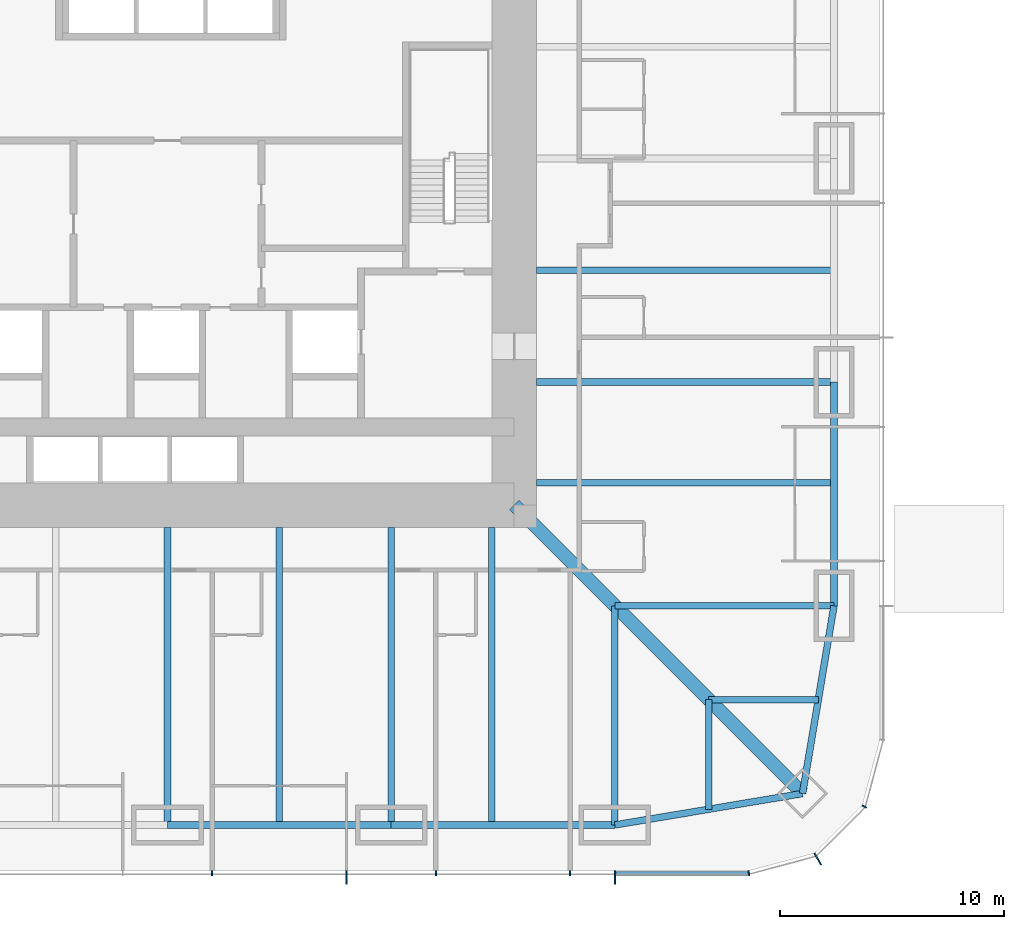
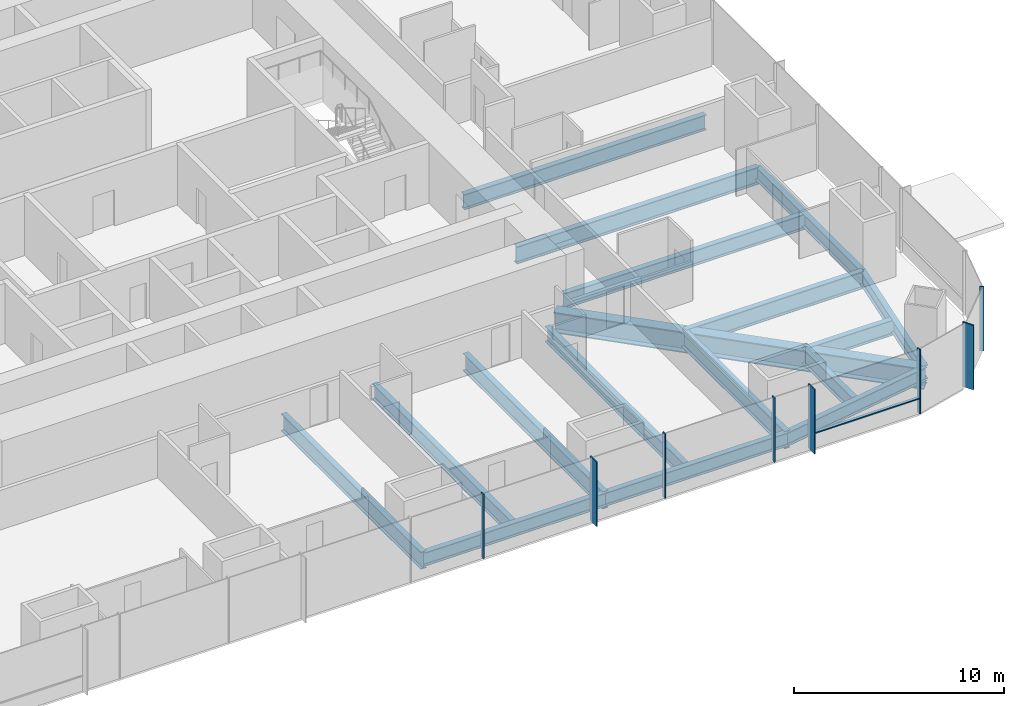
# One storey, part 4 of 20: 17 beams, 9 members, 2 elements without a shape of their own.
"""IFC4 building model written with IfcOpenShell, lengths in metres."""

from ifc_helpers import new_model, si_unit, direction, frame, origin, origin_2d, place, context, subcontext, project, spatial, rectangle, i_section, extrude, material, material_profile, profile_set, type_object, element, aggregate, save


model = new_model("IFC4")

# Units and contexts
model_context = context("Model", 3, precision=1e-05, world=origin(), true_north=direction((0.0, 1.0)))
body_context = subcontext(model_context, "Body", "Model", "MODEL_VIEW")
ifc_project = project(units=[si_unit("LENGTHUNIT", "METRE"), si_unit("AREAUNIT", "SQUARE_METRE"), si_unit("VOLUMEUNIT", "CUBIC_METRE"), si_unit("PLANEANGLEUNIT", "RADIAN"), si_unit("MASSUNIT", "GRAM", prefix="KILO")], contexts=[model_context])

# Site, building, storey
site_placement = place(None, origin())
site = spatial("IfcSite", under=ifc_project, at=site_placement, CompositionType="ELEMENT")
building_placement = place(site_placement, origin())
building = spatial("IfcBuilding", under=site, at=building_placement, Name="Khuree Lantern Residences", CompositionType="ELEMENT")
storey_placement = place(building_placement, frame((0.0, 0.0, 24.75)))
storey = spatial("IfcBuildingStorey", under=building, at=storey_placement, Name="L05", CompositionType="ELEMENT", Elevation=24.75)

# Beams
ifc_material_1 = material(Name="Steel S355", Category="steel")
ifc_material_profile_1 = material_profile(ifc_material_1, i_section(OverallWidth=0.300048828125, OverallDepth=0.889892578125, WebThickness=0.01611328125, FlangeThickness=0.030029296875, FilletRadius=0.030029296875, at=origin_2d()), Name="HE 900 A")
ifc_profile_set_1 = profile_set([ifc_material_profile_1], Name="Steel S355")
beam_type_1 = type_object("IfcBeamType", Name="B-11 SECONDARY BEAM HE 900 A", PredefinedType="BEAM", material=ifc_profile_set_1)
for number, where, z_axis, x_axis, name in (
    (1, (29.800048828125, -5.0, -0.695068359375), (-1.0, 0.0, 0.0), (0.0, -1.0, 0.0), "Secondary beam E4"),
    (2, (29.800048828125, -14.5, -0.695068359375), (-1.0, 0.0, 0.0), (0.0, -1.0, 0.0), "Secondary beam E5"),
):
    element("IfcBeam", number, at=place(storey_placement, frame(where, z_axis=z_axis, x_axis=x_axis)), inside=storey, type_object=beam_type_1, Name=name, PredefinedType="BEAM", context=body_context, shape_type="SweptSolid", body=[
        extrude(i_section(OverallWidth=0.300048828125, OverallDepth=0.889892578125, WebThickness=0.01611328125, FlangeThickness=0.030029296875, FilletRadius=0.030029296875, at=origin_2d()), origin(), (0.0, 0.0, 1.0), 13.300048828125),
    ])
for number, where, z_axis, x_axis, name in (
    (3, (29.09716796875, -24.197021484375, -0.695068359375), (-1.0, 0.0, 0.0), (0.0, -1.0, 0.0), "Secondary beam E6"),
    (4, (24.197021484375, -29.09716796875, -0.695068359375), (0.0, 1.0, 0.0), (-1.0, 0.0, 0.0), "Secondary beam S1"),
):
    element("IfcBeam", number, at=place(storey_placement, frame(where, z_axis=z_axis, x_axis=x_axis)), inside=storey, type_object=beam_type_1, Name=name, PredefinedType="BEAM", context=body_context, shape_type="SweptSolid", body=[
        extrude(i_section(OverallWidth=0.300048828125, OverallDepth=0.889892578125, WebThickness=0.01611328125, FlangeThickness=0.030029296875, FilletRadius=0.030029296875, at=origin_2d()), origin(), (0.0, 0.0, 1.0), 4.900146484375),
    ])
for number, where, z_axis, x_axis, name in (
    (5, (14.5, -29.800048828125, -0.695068359375), (0.0, 1.0, 0.0), (-1.0, 0.0, 0.0), "Secondary beam S2"),
    (6, (5.0, -29.800048828125, -0.695068359375), (0.0, 1.0, 0.0), (-1.0, 0.0, 0.0), "Secondary beam S3"),
):
    element("IfcBeam", number, at=place(storey_placement, frame(where, z_axis=z_axis, x_axis=x_axis)), inside=storey, type_object=beam_type_1, Name=name, PredefinedType="BEAM", context=body_context, shape_type="SweptSolid", body=[
        extrude(i_section(OverallWidth=0.300048828125, OverallDepth=0.889892578125, WebThickness=0.01611328125, FlangeThickness=0.030029296875, FilletRadius=0.030029296875, at=origin_2d()), origin(), (0.0, 0.0, 1.0), 13.300048828125),
    ])
ifc_material_profile_2 = material_profile(ifc_material_1, i_section(OverallWidth=0.300048828125, OverallDepth=0.7900390625, WebThickness=0.014892578125, FlangeThickness=0.028076171875, FilletRadius=0.030029296875, at=origin_2d()), Name="HE 800 A")
ifc_profile_set_2 = profile_set([ifc_material_profile_2], Name="Steel S355")
beam_type_2 = type_object("IfcBeamType", Name="E-11 SPANDREL BEAM HE 800 A", PredefinedType="SPANDREL", material=ifc_profile_set_2)
beam_1_placement = place(storey_placement, frame((29.800048828125, -10.0, -0.64501953125), z_axis=(0.0, -1.0, 0.0), x_axis=(1.0, 0.0, 0.0)))
element("IfcBeam", 7, at=beam_1_placement, inside=storey, type_object=beam_type_2, Name="Spandrel beam E5", PredefinedType="SPANDREL", context=body_context, shape_type="SweptSolid", body=[
    extrude(i_section(OverallWidth=0.300048828125, OverallDepth=0.7900390625, WebThickness=0.014892578125, FlangeThickness=0.028076171875, FilletRadius=0.030029296875, at=origin_2d()), origin(), (0.0, 0.0, 1.0), 10.0),
])
for number, where, z_axis, x_axis, name in (
    (8, (29.800048828125, -20.0, -0.64501953125), (-0.165199022349, -0.986260251158, 0.0), (0.986260251158, -0.165199022349, 0.0), "Spandrel beam E6"),
    (9, (28.39404296875, -28.39404296875, -0.64501953125), (-0.986260251158, -0.165199022349, 0.0), (0.165199022349, -0.986260251158, 0.0), "Spandrel beam S1"),
):
    element("IfcBeam", number, at=place(storey_placement, frame(where, z_axis=z_axis, x_axis=x_axis)), inside=storey, type_object=beam_type_2, Name=name, PredefinedType="SPANDREL", context=body_context, shape_type="SweptSolid", body=[
        extrude(i_section(OverallWidth=0.300048828125, OverallDepth=0.7900390625, WebThickness=0.014892578125, FlangeThickness=0.028076171875, FilletRadius=0.030029296875, at=origin_2d()), origin(), (0.0, 0.0, 1.0), 8.510986328125),
    ])
for number, where, z_axis, x_axis, name in (
    (10, (20.0, -29.800048828125, -0.64501953125), (-1.0, 0.0, 0.0), (0.0, -1.0, 0.0), "Spandrel beam S2"),
    (11, (10.0, -29.800048828125, -0.64501953125), (-1.0, 0.0, 0.0), (0.0, -1.0, 0.0), "Spandrel beam S3"),
):
    element("IfcBeam", number, at=place(storey_placement, frame(where, z_axis=z_axis, x_axis=x_axis)), inside=storey, type_object=beam_type_2, Name=name, PredefinedType="SPANDREL", context=body_context, shape_type="SweptSolid", body=[
        extrude(i_section(OverallWidth=0.300048828125, OverallDepth=0.7900390625, WebThickness=0.014892578125, FlangeThickness=0.028076171875, FilletRadius=0.030029296875, at=origin_2d()), origin(), (0.0, 0.0, 1.0), 10.0),
    ])

# Curtain wall, member
ifc_material_2 = material(Name="Bronze anodised aluminium", Category="aluminium")
curtain_wall_type_1 = type_object("IfcCurtainWallType", Name="CW-T2 TOWER CORNER CURTAIN WALL", PredefinedType="USERDEFINED", material=ifc_material_2)
curtain_wall_1_placement = place(storey_placement, origin())
curtain_wall_1 = element("IfcCurtainWall", 12, at=curtain_wall_1_placement, inside=storey, type_object=curtain_wall_type_1, Name="L05 SOUTH-EAST CORNER CURTAIN WALL", ObjectType="Faceted corner curtain wall", PredefinedType="USERDEFINED")
ifc_material_profile_3 = material_profile(ifc_material_2, rectangle(XDim=0.06494140625, YDim=0.60009765625, at=origin_2d()), Name="F1 65X600")
ifc_profile_set_3 = profile_set([ifc_material_profile_3], Name="Bronze anodised aluminium")
member_type_1 = type_object("IfcMemberType", Name="F1 BRONZE FIN MULLION TOWER 65X600", PredefinedType="MULLION", material=ifc_profile_set_3)
member_1_placement = place(storey_placement, frame((29.074951171875, -31.326171875, 0.0), z_axis=(0.0, 0.0, 1.0), x_axis=(0.86602537092, 0.500000056923, 0.0)))
member_1 = element("IfcMember", 13, at=member_1_placement, type_object=member_type_1, Name="L05 SOUTH-EAST CORNER FIN MULLION 2", PredefinedType="MULLION", context=body_context, shape_type="SweptSolid", body=[
    extrude(rectangle(XDim=0.06494140625, YDim=0.60009765625, at=origin_2d()), origin(), (0.0, 0.0, 1.0), 3.75),
])

# Curtain wall, members
curtain_wall_type_2 = type_object("IfcCurtainWallType", Name="CW-T1 TOWER FACE CURTAIN WALL", PredefinedType="USERDEFINED", material=ifc_material_2)
curtain_wall_2_placement = place(storey_placement, origin())
curtain_wall_2 = element("IfcCurtainWall", 14, at=curtain_wall_2_placement, inside=storey, type_object=curtain_wall_type_2, Name="L05 SOUTH FACE CURTAIN WALL", ObjectType="Stick-built curtain wall", PredefinedType="USERDEFINED")
member_2_placement = place(storey_placement, frame((8.0, -32.14990234375, 0.0), z_axis=(0.0, 0.0, 1.0), x_axis=(1.0, 0.0, 0.0)))
member_2 = element("IfcMember", 15, at=member_2_placement, type_object=member_type_1, Name="L05 SOUTH FACE FIN MULLION 53", PredefinedType="MULLION", context=body_context, shape_type="SweptSolid", body=[
    extrude(rectangle(XDim=0.06494140625, YDim=0.60009765625, at=origin_2d()), origin(), (0.0, 0.0, 1.0), 3.75),
])
member_3_placement = place(storey_placement, frame((20.0, -32.14990234375, 0.0), z_axis=(0.0, 0.0, 1.0), x_axis=(1.0, 0.0, 0.0)))
member_3 = element("IfcMember", 16, at=member_3_placement, type_object=member_type_1, Name="L05 SOUTH FACE FIN MULLION 56", PredefinedType="MULLION", context=body_context, shape_type="SweptSolid", body=[
    extrude(rectangle(XDim=0.06494140625, YDim=0.60009765625, at=origin_2d()), origin(), (0.0, 0.0, 1.0), 3.75),
])

# Beams
ifc_material_profile_4 = material_profile(ifc_material_1, i_section(OverallWidth=0.302001953125, OverallDepth=1.008056640625, WebThickness=0.02099609375, FlangeThickness=0.0400390625, FilletRadius=0.030029296875, at=origin_2d()), Name="HE 1000 M")
ifc_profile_set_4 = profile_set([ifc_material_profile_4], Name="Steel S355")
beam_type_3 = type_object("IfcBeamType", Name="G-11 GIRDER HE 1000 M", PredefinedType="BEAM", material=ifc_profile_set_4)
beam_2_placement = place(storey_placement, frame((29.800048828125, -10.0, -0.75390625), z_axis=(-1.0, 0.0, 0.0), x_axis=(0.0, -1.0, 0.0)))
element("IfcBeam", 17, at=beam_2_placement, inside=storey, type_object=beam_type_3, Name="Girder E4", PredefinedType="BEAM", context=body_context, shape_type="SweptSolid", body=[
    extrude(i_section(OverallWidth=0.302001953125, OverallDepth=1.008056640625, WebThickness=0.02099609375, FlangeThickness=0.0400390625, FilletRadius=0.030029296875, at=origin_2d()), origin(), (0.0, 0.0, 1.0), 13.300048828125),
])
for number, where, z_axis, x_axis, name in (
    (18, (29.800048828125, -20.0, -0.75390625), (-1.0, 0.0, 0.0), (0.0, -1.0, 0.0), "Girder E5"),
    (19, (20.0, -29.800048828125, -0.75390625), (0.0, 1.0, 0.0), (-1.0, 0.0, 0.0), "Girder S1"),
):
    element("IfcBeam", number, at=place(storey_placement, frame(where, z_axis=z_axis, x_axis=x_axis)), inside=storey, type_object=beam_type_3, Name=name, PredefinedType="BEAM", context=body_context, shape_type="SweptSolid", body=[
        extrude(i_section(OverallWidth=0.302001953125, OverallDepth=1.008056640625, WebThickness=0.02099609375, FlangeThickness=0.0400390625, FilletRadius=0.030029296875, at=origin_2d()), origin(), (0.0, 0.0, 1.0), 9.800048828125),
    ])
for number, where, z_axis, x_axis, name in (
    (20, (10.0, -29.800048828125, -0.75390625), (0.0, 1.0, 0.0), (-1.0, 0.0, 0.0), "Girder S2"),
    (21, (0.0, -29.800048828125, -0.75390625), (0.0, 1.0, 0.0), (-1.0, 0.0, 0.0), "Girder S3"),
):
    element("IfcBeam", number, at=place(storey_placement, frame(where, z_axis=z_axis, x_axis=x_axis)), inside=storey, type_object=beam_type_3, Name=name, PredefinedType="BEAM", context=body_context, shape_type="SweptSolid", body=[
        extrude(i_section(OverallWidth=0.302001953125, OverallDepth=1.008056640625, WebThickness=0.02099609375, FlangeThickness=0.0400390625, FilletRadius=0.030029296875, at=origin_2d()), origin(), (0.0, 0.0, 1.0), 13.300048828125),
    ])
ifc_material_profile_5 = material_profile(ifc_material_1, i_section(OverallWidth=0.60009765625, OverallDepth=1.199951171875, WebThickness=0.030029296875, FlangeThickness=0.06005859375, at=origin_2d()), Name="WELDED I 1200X600X30X60")
ifc_profile_set_5 = profile_set([ifc_material_profile_5], Name="Steel S355")
beam_type_4 = type_object("IfcBeamType", Name="GD-11 CORNER GIRDER WELDED I 1200X600X30X60", PredefinedType="BEAM", material=ifc_profile_set_5)
beam_3_placement = place(storey_placement, frame((28.39404296875, -28.39404296875, -0.85009765625), z_axis=(-0.707106781187, 0.707106781187, 0.0), x_axis=(-0.707106781187, -0.707106781187, 0.0)))
element("IfcBeam", 22, at=beam_3_placement, inside=storey, type_object=beam_type_4, Name="Corner girder SE", PredefinedType="BEAM", context=body_context, shape_type="SweptSolid", body=[
    extrude(i_section(OverallWidth=0.60009765625, OverallDepth=1.199951171875, WebThickness=0.030029296875, FlangeThickness=0.06005859375, at=origin_2d()), origin(), (0.0, 0.0, 1.0), 18.23486328125),
])

# Member
ifc_material_profile_6 = material_profile(ifc_material_2, rectangle(XDim=0.06494140625, YDim=0.219970703125, at=origin_2d()), Name="M1 65X220")
ifc_profile_set_6 = profile_set([ifc_material_profile_6], Name="Bronze anodised aluminium")
member_type_2 = type_object("IfcMemberType", Name="M1 BRONZE MULLION TOWER 65X220", PredefinedType="MULLION", material=ifc_profile_set_6)
member_4_placement = place(storey_placement, frame((25.994873046875, -31.961669921875, 0.0), z_axis=(0.0, 0.0, 1.0), x_axis=(0.991444852794, 0.130526257387, 0.0)))
member_4 = element("IfcMember", 23, at=member_4_placement, type_object=member_type_2, Name="L05 SOUTH-EAST CORNER MULLION 1", PredefinedType="MULLION", context=body_context, shape_type="SweptSolid", body=[
    extrude(rectangle(XDim=0.06494140625, YDim=0.219970703125, at=origin_2d()), origin(), (0.0, 0.0, 1.0), 3.75),
])

member_5_placement = place(storey_placement, frame((31.16162109375, -28.97998046875, 0.0), z_axis=(0.0, 0.0, 1.0), x_axis=(0.500000056923, 0.86602537092, 0.0)))
member_5 = element("IfcMember", 24, at=member_5_placement, type_object=member_type_2, Name="L05 SOUTH-EAST CORNER MULLION 3", PredefinedType="MULLION", context=body_context, shape_type="SweptSolid", body=[
    extrude(rectangle(XDim=0.06494140625, YDim=0.219970703125, at=origin_2d()), origin(), (0.0, 0.0, 1.0), 3.75),
])

aggregate(curtain_wall_1, [member_4, member_1, member_5])

member_6_placement = place(storey_placement, frame((2.0, -31.9599609375, 0.0), z_axis=(0.0, 0.0, 1.0), x_axis=(1.0, 0.0, 0.0)))
member_6 = element("IfcMember", 25, at=member_6_placement, type_object=member_type_2, Name="L05 SOUTH FACE MULLION 52", PredefinedType="MULLION", context=body_context, shape_type="SweptSolid", body=[
    extrude(rectangle(XDim=0.06494140625, YDim=0.219970703125, at=origin_2d()), origin(), (0.0, 0.0, 1.0), 3.75),
])

member_7_placement = place(storey_placement, frame((12.0, -31.9599609375, 0.0), z_axis=(0.0, 0.0, 1.0), x_axis=(1.0, 0.0, 0.0)))
member_7 = element("IfcMember", 26, at=member_7_placement, type_object=member_type_2, Name="L05 SOUTH FACE MULLION 54", PredefinedType="MULLION", context=body_context, shape_type="SweptSolid", body=[
    extrude(rectangle(XDim=0.06494140625, YDim=0.219970703125, at=origin_2d()), origin(), (0.0, 0.0, 1.0), 3.75),
])

member_8_placement = place(storey_placement, frame((18.0, -31.9599609375, 0.0), z_axis=(0.0, 0.0, 1.0), x_axis=(1.0, 0.0, 0.0)))
member_8 = element("IfcMember", 27, at=member_8_placement, type_object=member_type_2, Name="L05 SOUTH FACE MULLION 55", PredefinedType="MULLION", context=body_context, shape_type="SweptSolid", body=[
    extrude(rectangle(XDim=0.06494140625, YDim=0.219970703125, at=origin_2d()), origin(), (0.0, 0.0, 1.0), 3.75),
])

ifc_material_profile_7 = material_profile(ifc_material_2, rectangle(XDim=0.179931640625, YDim=0.06494140625, at=origin_2d()), Name="T1 180X65")
ifc_profile_set_7 = profile_set([ifc_material_profile_7], Name="Bronze anodised aluminium")
member_type_3 = type_object("IfcMemberType", Name="TRANSOM T1 TOWER 180X65", PredefinedType="USERDEFINED", material=ifc_profile_set_7)
member_9_placement = place(storey_placement, frame((20.032470703125, -31.969970703125, 0.89990234375), z_axis=(1.0, 0.0, 0.0), x_axis=(0.0, 1.0, 0.0)))
member_9 = element("IfcMember", 28, at=member_9_placement, type_object=member_type_3, Name="L05 SOUTH FACE TRANSOM 56.1", ObjectType="Transom", PredefinedType="USERDEFINED", context=body_context, shape_type="SweptSolid", body=[
    extrude(rectangle(XDim=0.179931640625, YDim=0.06494140625, at=origin_2d()), origin(), (0.0, 0.0, 1.0), 5.9189453125),
])

aggregate(curtain_wall_2, [member_6, member_2, member_7, member_8, member_3, member_9])

save(model, "model.ifc")
